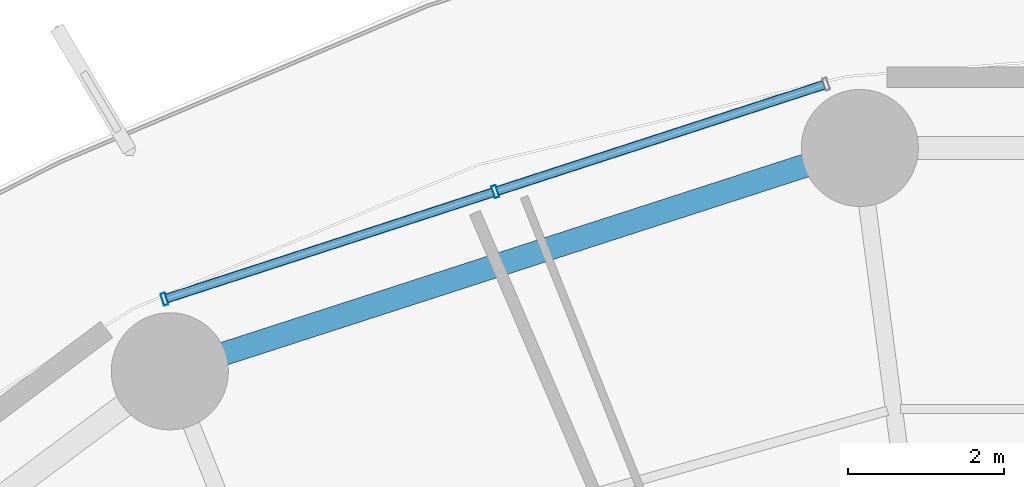
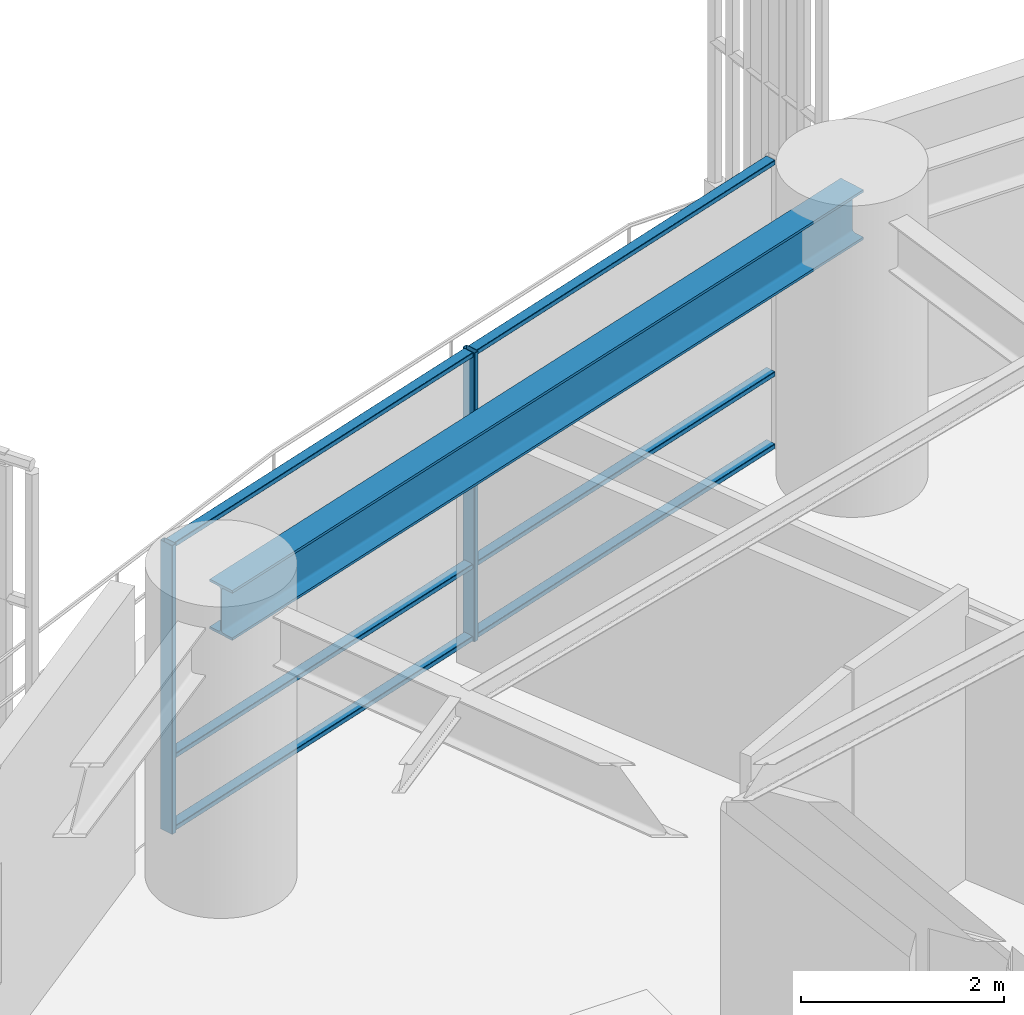
# One storey, part 16 of 32: 8 members, 1 beam, 1 element without a shape of its own.
"""IFC4 building model written with IfcOpenShell, lengths in metres."""

from ifc_helpers import new_model, si_unit, direction, frame, origin, origin_2d, place, context, subcontext, project, spatial, hollow_rectangle, i_section, extrude, material, layer, layer_set, material_profile, profile_set, type_object, element, aggregate, save


model = new_model("IFC4")

# Units and contexts
model_context = context("Model", 3, precision=1e-05, world=origin(), true_north=direction((0.0, 1.0)))
body_context = subcontext(model_context, "Body", "Model", "MODEL_VIEW")
ifc_project = project(units=[si_unit("LENGTHUNIT", "METRE"), si_unit("AREAUNIT", "SQUARE_METRE"), si_unit("VOLUMEUNIT", "CUBIC_METRE"), si_unit("PLANEANGLEUNIT", "RADIAN"), si_unit("MASSUNIT", "GRAM", prefix="KILO")], contexts=[model_context])

# Site, building, storey
site_placement = place(None, origin())
site = spatial("IfcSite", under=ifc_project, at=site_placement, CompositionType="ELEMENT")
building_placement = place(site_placement, origin())
building = spatial("IfcBuilding", under=site, at=building_placement, Name="Kelanora Arch Commons", CompositionType="ELEMENT")
storey_placement = place(building_placement, frame((0.0, 0.0, 48.75)))
storey = spatial("IfcBuildingStorey", under=building, at=storey_placement, Name="L12", CompositionType="ELEMENT", Elevation=48.75)

# Beam
ifc_material_1 = material(Name="Steel S355", Category="steel")
ifc_material_profile_1 = material_profile(ifc_material_1, i_section(OverallWidth=0.300048828125, OverallDepth=0.60009765625, WebThickness=0.015380859375, FlangeThickness=0.030029296875, FilletRadius=0.027099609375, at=origin_2d()), Name="HEB600")
ifc_profile_set_1 = profile_set([ifc_material_profile_1], Name="Steel S355")
beam_type = type_object("IfcBeamType", Name="BM-SPN-Z1", PredefinedType="SPANDREL", material=ifc_profile_set_1)
beam_placement = place(storey_placement, frame((69.297607421875, 81.714111328125, 3.18994140625), z_axis=(-0.951417120402, -0.307904957748, 0.0), x_axis=(0.307904957748, -0.951417120402, 0.0)))
element("IfcBeam", 1, at=beam_placement, inside=storey, type_object=beam_type, Name="Perimeter Spandrel Beam BS-10 L12", PredefinedType="SPANDREL", context=body_context, shape_type="SweptSolid", body=[
    extrude(i_section(OverallWidth=0.300048828125, OverallDepth=0.60009765625, WebThickness=0.015380859375, FlangeThickness=0.030029296875, FilletRadius=0.027099609375, at=origin_2d()), origin(), (0.0, 0.0, 1.0), 9.288818359375),
])

# Curtain wall, members
ifc_material_2 = material(Name="Terracotta ceramic-fritted low-E glass and aluminium", Category="masonry")
ifc_layer = layer(ifc_material_2, 0.159912109375)
ifc_layer_set = layer_set([ifc_layer], Name="Terracotta ceramic-fritted low-E glass and aluminium")
curtain_wall_type = type_object("IfcCurtainWallType", Name="CW-SYS-01", PredefinedType="NOTDEFINED", material=ifc_layer_set)
curtain_wall_placement = place(storey_placement, origin())
curtain_wall = element("IfcCurtainWall", 2, at=curtain_wall_placement, inside=storey, type_object=curtain_wall_type, Name="Unitised Curtain Wall L12-B05", PredefinedType="NOTDEFINED")
ifc_material_3 = material(Name="Powder-coated aluminium terracotta", Category="masonry")
ifc_material_profile_2 = material_profile(ifc_material_3, hollow_rectangle(XDim=0.159912109375, YDim=0.06005859375, WallThickness=0.0048828125, InnerFilletRadius=0.0048828125, OuterFilletRadius=0.010009765625, at=origin_2d()), Name="CWM160x60")
ifc_profile_set_2 = profile_set([ifc_material_profile_2], Name="Powder-coated aluminium terracotta")
member_type_1 = type_object("IfcMemberType", Name="CWM-STD", PredefinedType="MULLION", material=ifc_profile_set_2)
member_1_placement = place(storey_placement, frame((64.62890625, 81.15478515625, 0.0), z_axis=(0.0, 0.0, 1.0), x_axis=(0.30905758454, -0.951043326793, 0.0)))
member_1 = element("IfcMember", 3, at=member_1_placement, type_object=member_type_1, Name="CW-01 mullion 2", PredefinedType="MULLION", context=body_context, shape_type="SweptSolid", body=[
    extrude(hollow_rectangle(XDim=0.159912109375, YDim=0.06005859375, WallThickness=0.0048828125, InnerFilletRadius=0.0048828125, OuterFilletRadius=0.010009765625, at=origin_2d()), origin(), (0.0, 0.0, 1.0), 3.47509765625),
])
member_2_placement = place(storey_placement, frame((60.392333984375, 79.778076171875, 0.0), z_axis=(0.0, 0.0, 1.0), x_axis=(0.30905758454, -0.951043326793, 0.0)))
member_2 = element("IfcMember", 4, at=member_2_placement, type_object=member_type_1, Name="CW-01 mullion 3", PredefinedType="MULLION", context=body_context, shape_type="SweptSolid", body=[
    extrude(hollow_rectangle(XDim=0.159912109375, YDim=0.06005859375, WallThickness=0.0048828125, InnerFilletRadius=0.0048828125, OuterFilletRadius=0.010009765625, at=origin_2d()), origin(), (0.0, 0.0, 1.0), 3.47509765625),
])
ifc_material_profile_3 = material_profile(ifc_material_3, hollow_rectangle(XDim=0.1201171875, YDim=0.06005859375, WallThickness=0.0048828125, InnerFilletRadius=0.0048828125, OuterFilletRadius=0.010009765625, at=origin_2d()), Name="CWT120x60")
ifc_profile_set_3 = profile_set([ifc_material_profile_3], Name="Powder-coated aluminium terracotta")
member_type_2 = type_object("IfcMemberType", Name="CWT-STD", PredefinedType="USERDEFINED", material=ifc_profile_set_3)
member_3_placement = place(storey_placement, frame((68.8369140625, 82.5224609375, 0.030029296875), z_axis=(-0.951028761285, -0.309102402464, 0.0), x_axis=(0.309102402464, -0.951028761285, 0.0)))
member_3 = element("IfcMember", 5, at=member_3_placement, type_object=member_type_2, Name="CW-01 transom 1.1", ObjectType="TRANSOM", PredefinedType="USERDEFINED", context=body_context, shape_type="SweptSolid", body=[
    extrude(hollow_rectangle(XDim=0.1201171875, YDim=0.06005859375, WallThickness=0.0048828125, InnerFilletRadius=0.0048828125, OuterFilletRadius=0.010009765625, at=origin_2d()), origin(), (0.0, 0.0, 1.0), 4.394775390625),
])
member_4_placement = place(storey_placement, frame((68.8369140625, 82.5224609375, 0.89990234375), z_axis=(-0.951028761285, -0.309102402464, 0.0), x_axis=(0.309102402464, -0.951028761285, 0.0)))
member_4 = element("IfcMember", 6, at=member_4_placement, type_object=member_type_2, Name="CW-01 transom 1.2", ObjectType="TRANSOM", PredefinedType="USERDEFINED", context=body_context, shape_type="SweptSolid", body=[
    extrude(hollow_rectangle(XDim=0.1201171875, YDim=0.06005859375, WallThickness=0.0048828125, InnerFilletRadius=0.0048828125, OuterFilletRadius=0.010009765625, at=origin_2d()), origin(), (0.0, 0.0, 1.0), 4.394775390625),
])
member_5_placement = place(storey_placement, frame((68.8369140625, 82.5224609375, 3.445068359375), z_axis=(-0.951028761285, -0.309102402464, 0.0), x_axis=(0.309102402464, -0.951028761285, 0.0)))
member_5 = element("IfcMember", 7, at=member_5_placement, type_object=member_type_2, Name="CW-01 transom 1.3", ObjectType="TRANSOM", PredefinedType="USERDEFINED", context=body_context, shape_type="SweptSolid", body=[
    extrude(hollow_rectangle(XDim=0.1201171875, YDim=0.06005859375, WallThickness=0.0048828125, InnerFilletRadius=0.0048828125, OuterFilletRadius=0.010009765625, at=origin_2d()), origin(), (0.0, 0.0, 1.0), 4.394775390625),
])
member_6_placement = place(storey_placement, frame((64.600341796875, 81.1455078125, 0.030029296875), z_axis=(-0.951045091182, -0.309052155047, 0.0), x_axis=(0.309052155047, -0.951045091182, 0.0)))
member_6 = element("IfcMember", 8, at=member_6_placement, type_object=member_type_2, Name="CW-01 transom 2.1", ObjectType="TRANSOM", PredefinedType="USERDEFINED", context=body_context, shape_type="SweptSolid", body=[
    extrude(hollow_rectangle(XDim=0.1201171875, YDim=0.06005859375, WallThickness=0.0048828125, InnerFilletRadius=0.0048828125, OuterFilletRadius=0.010009765625, at=origin_2d()), origin(), (0.0, 0.0, 1.0), 4.39453125),
])
member_7_placement = place(storey_placement, frame((64.600341796875, 81.1455078125, 0.89990234375), z_axis=(-0.951045091182, -0.309052155047, 0.0), x_axis=(0.309052155047, -0.951045091182, 0.0)))
member_7 = element("IfcMember", 9, at=member_7_placement, type_object=member_type_2, Name="CW-01 transom 2.2", ObjectType="TRANSOM", PredefinedType="USERDEFINED", context=body_context, shape_type="SweptSolid", body=[
    extrude(hollow_rectangle(XDim=0.1201171875, YDim=0.06005859375, WallThickness=0.0048828125, InnerFilletRadius=0.0048828125, OuterFilletRadius=0.010009765625, at=origin_2d()), origin(), (0.0, 0.0, 1.0), 4.39453125),
])
member_8_placement = place(storey_placement, frame((64.600341796875, 81.1455078125, 3.445068359375), z_axis=(-0.951045091182, -0.309052155047, 0.0), x_axis=(0.309052155047, -0.951045091182, 0.0)))
member_8 = element("IfcMember", 10, at=member_8_placement, type_object=member_type_2, Name="CW-01 transom 2.3", ObjectType="TRANSOM", PredefinedType="USERDEFINED", context=body_context, shape_type="SweptSolid", body=[
    extrude(hollow_rectangle(XDim=0.1201171875, YDim=0.06005859375, WallThickness=0.0048828125, InnerFilletRadius=0.0048828125, OuterFilletRadius=0.010009765625, at=origin_2d()), origin(), (0.0, 0.0, 1.0), 4.39453125),
])
aggregate(curtain_wall, [member_1, member_2, member_3, member_4, member_5, member_6, member_7, member_8])

save(model, "model.ifc")
